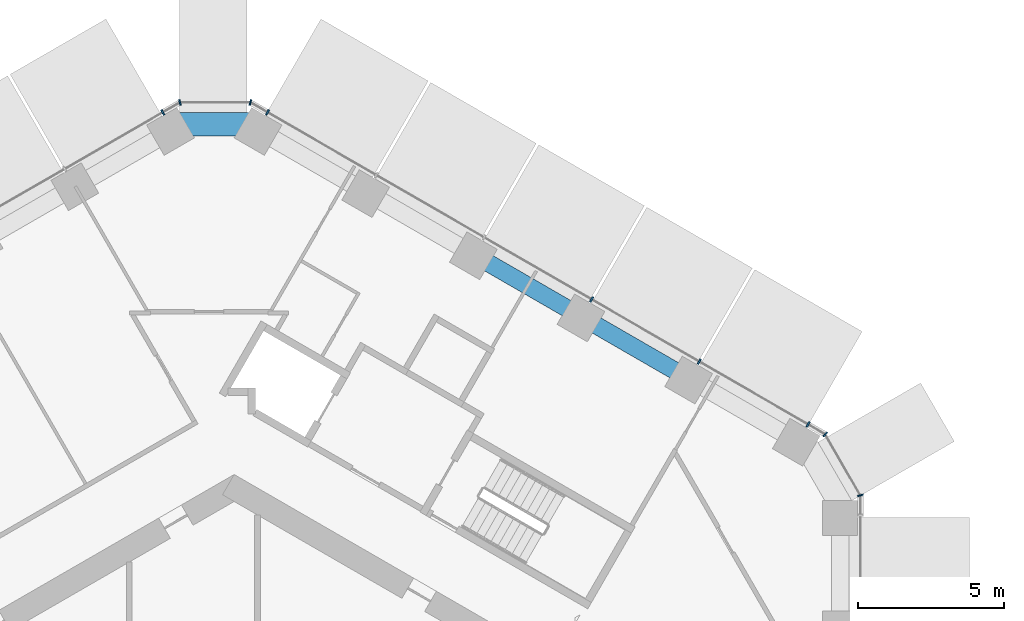
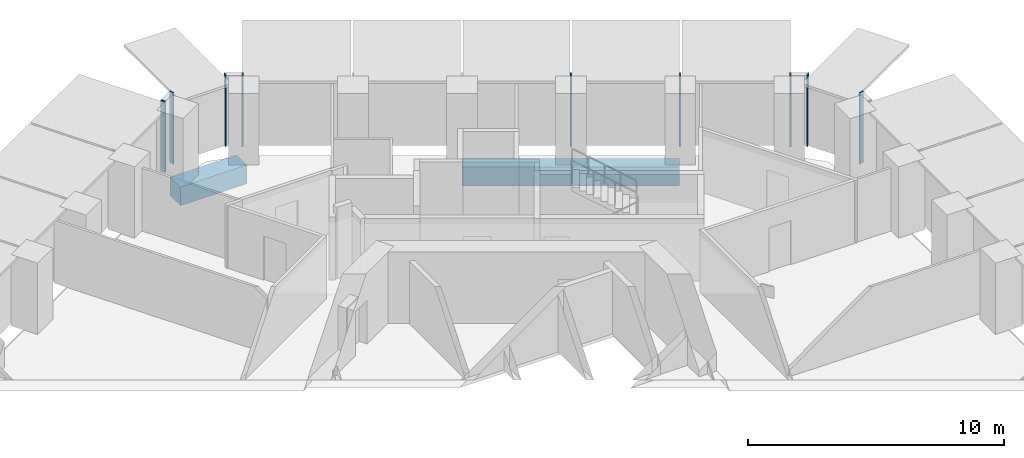
# One storey, part 6 of 22: 9 members, 3 beams, 4 elements without a shape of their own.
"""IFC4 building model written with IfcOpenShell, lengths in metres."""

from ifc_helpers import new_model, si_unit, direction, frame, origin, origin_2d, place, context, subcontext, project, spatial, rectangle, extrude, material, layer, layer_set, material_profile, profile_set, type_object, element, aggregate, save


model = new_model("IFC4")

# Units and contexts
model_context = context("Model", 3, precision=1e-05, world=origin(), true_north=direction((0.0, 1.0)))
body_context = subcontext(model_context, "Body", "Model", "MODEL_VIEW")
ifc_project = project(units=[si_unit("LENGTHUNIT", "METRE"), si_unit("AREAUNIT", "SQUARE_METRE"), si_unit("VOLUMEUNIT", "CUBIC_METRE"), si_unit("PLANEANGLEUNIT", "RADIAN"), si_unit("MASSUNIT", "GRAM", prefix="KILO")], contexts=[model_context])

# Site, building, storey
site_placement = place(None, origin())
site = spatial("IfcSite", under=ifc_project, at=site_placement, CompositionType="ELEMENT")
building_placement = place(site_placement, origin())
building = spatial("IfcBuilding", under=site, at=building_placement, Name="Ayvan Gate Tower", CompositionType="ELEMENT")
storey_placement = place(building_placement, frame((0.0, 0.0, 62.89990234375)))
storey = spatial("IfcBuildingStorey", under=building, at=storey_placement, Name="L16", CompositionType="ELEMENT", Elevation=62.89990234375)

# Beams
ifc_material_1 = material(Name="Concrete C40/50", Category="concrete")
ifc_material_profile_1 = material_profile(ifc_material_1, rectangle(XDim=0.800048828125, YDim=0.89990234375, at=origin_2d()), Name="RC 800x900")
ifc_profile_set_1 = profile_set([ifc_material_profile_1], Name="Concrete C40/50")
beam_type_1 = type_object("IfcBeamType", Name="Corner spandrel beam RC 800x900 C40/50", PredefinedType="BEAM", material=ifc_profile_set_1)
beam_1_placement = place(storey_placement, frame((0.861083984375, 22.985107421875, -0.7998046875), z_axis=(-1.0, 0.0, 0.0), x_axis=(0.0, -1.0, 0.0)))
element("IfcBeam", 1, at=beam_1_placement, inside=storey, type_object=beam_type_1, Name="SB-L16-12", PredefinedType="BEAM", context=body_context, shape_type="SweptSolid", body=[
    extrude(rectangle(XDim=0.800048828125, YDim=0.89990234375, at=origin_2d()), origin(), (0.0, 0.0, 1.0), 3.0),
])
ifc_material_profile_2 = material_profile(ifc_material_1, rectangle(XDim=0.60009765625, YDim=0.89990234375, at=origin_2d()), Name="RC 600x900")
ifc_profile_set_2 = profile_set([ifc_material_profile_2], Name="Concrete C40/50")
beam_type_2 = type_object("IfcBeamType", Name="Spandrel beam RC 600x900 C40/50", PredefinedType="BEAM", material=ifc_profile_set_2)
beam_2_placement = place(storey_placement, frame((15.599853515625, 14.255615234375, -0.7998046875), z_axis=(-0.866009756179, 0.500027101468, 0.0), x_axis=(-0.500027101468, -0.866009756179, 0.0)))
element("IfcBeam", 2, at=beam_2_placement, inside=storey, type_object=beam_type_2, Name="SB-L16-8", PredefinedType="BEAM", context=body_context, shape_type="SweptSolid", body=[
    extrude(rectangle(XDim=0.60009765625, YDim=0.89990234375, at=origin_2d()), origin(), (0.0, 0.0, 1.0), 4.254638671875),
])
beam_3_placement = place(storey_placement, frame((11.915283203125, 16.383056640625, -0.7998046875), z_axis=(-0.866024102175, 0.500002254446, 0.0), x_axis=(-0.500002254446, -0.866024102175, 0.0)))
element("IfcBeam", 3, at=beam_3_placement, inside=storey, type_object=beam_type_2, Name="SB-L16-9", PredefinedType="BEAM", context=body_context, shape_type="SweptSolid", body=[
    extrude(rectangle(XDim=0.60009765625, YDim=0.89990234375, at=origin_2d()), origin(), (0.0, 0.0, 1.0), 4.2548828125),
])

# Curtain wall, member
ifc_material_2 = material(Name="Bronze anodised aluminium", Category="aluminium")
ifc_layer_1 = layer(ifc_material_2, 0.199951171875)
ifc_layer_set_1 = layer_set([ifc_layer_1], Name="Bronze anodised aluminium")
curtain_wall_type_1 = type_object("IfcCurtainWallType", Name="Stick curtain wall CW-1", PredefinedType="NOTDEFINED", material=ifc_layer_set_1)
curtain_wall_1_placement = place(storey_placement, origin())
curtain_wall_1 = element("IfcCurtainWall", 4, at=curtain_wall_1_placement, inside=storey, type_object=curtain_wall_type_1, Name="Stick curtain wall CW-1 L16", PredefinedType="NOTDEFINED")
ifc_material_profile_3 = material_profile(ifc_material_2, rectangle(XDim=0.199951171875, YDim=0.06005859375, at=origin_2d()), Name="Stick curtain wall CW-1 mullion 200 x 60")
ifc_profile_set_3 = profile_set([ifc_material_profile_3], Name="Bronze anodised aluminium")
member_type_1 = type_object("IfcMemberType", Name="Stick curtain wall CW-1 mullion 200 x 60", PredefinedType="MULLION", material=ifc_profile_set_3)
member_1_placement = place(storey_placement, frame((-2.448974609375, 23.394287109375, 0.0), z_axis=(0.0, 0.0, 1.0), x_axis=(-0.5, 0.866025403784, 0.0)))
member_1 = element("IfcMember", 5, at=member_1_placement, type_object=member_type_1, Name="CW-1 mullion 1", PredefinedType="MULLION", context=body_context, shape_type="SweptSolid", body=[
    extrude(rectangle(XDim=0.199951171875, YDim=0.06005859375, at=origin_2d()), origin(), (0.0, 0.0, 1.0), 3.400146484375),
])
aggregate(curtain_wall_1, [member_1])

# Curtain wall, members
curtain_wall_2_placement = place(storey_placement, origin())
curtain_wall_2 = element("IfcCurtainWall", 6, at=curtain_wall_2_placement, inside=storey, type_object=curtain_wall_type_1, Name="Stick curtain wall CW-1 L16", PredefinedType="NOTDEFINED")
member_2_placement = place(storey_placement, frame((19.6884765625, 12.687255859375, 0.0), z_axis=(0.0, 0.0, 1.0), x_axis=(0.5, 0.866025403784, 0.0)))
member_2 = element("IfcMember", 7, at=member_2_placement, type_object=member_type_1, Name="CW-1 mullion 1", PredefinedType="MULLION", context=body_context, shape_type="SweptSolid", body=[
    extrude(rectangle(XDim=0.199951171875, YDim=0.06005859375, at=origin_2d()), origin(), (0.0, 0.0, 1.0), 3.400146484375),
])
member_3_placement = place(storey_placement, frame((15.955810546875, 14.84228515625, 0.0), z_axis=(0.0, 0.0, 1.0), x_axis=(0.5, 0.866025403784, 0.0)))
member_3 = element("IfcMember", 8, at=member_3_placement, type_object=member_type_1, Name="CW-1 mullion 2", PredefinedType="MULLION", context=body_context, shape_type="SweptSolid", body=[
    extrude(rectangle(XDim=0.199951171875, YDim=0.06005859375, at=origin_2d()), origin(), (0.0, 0.0, 1.0), 3.400146484375),
])
member_4_placement = place(storey_placement, frame((12.26220703125, 16.974853515625, 0.0), z_axis=(0.0, 0.0, 1.0), x_axis=(0.5, 0.866025403784, 0.0)))
member_4 = element("IfcMember", 9, at=member_4_placement, type_object=member_type_1, Name="CW-1 mullion 3", PredefinedType="MULLION", context=body_context, shape_type="SweptSolid", body=[
    extrude(rectangle(XDim=0.199951171875, YDim=0.06005859375, at=origin_2d()), origin(), (0.0, 0.0, 1.0), 3.400146484375),
])
member_5_placement = place(storey_placement, frame((1.143310546875, 23.394287109375, 0.0), z_axis=(0.0, 0.0, 1.0), x_axis=(0.5, 0.866025403784, 0.0)))
member_5 = element("IfcMember", 10, at=member_5_placement, type_object=member_type_1, Name="CW-1 mullion 6", PredefinedType="MULLION", context=body_context, shape_type="SweptSolid", body=[
    extrude(rectangle(XDim=0.199951171875, YDim=0.06005859375, at=origin_2d()), origin(), (0.0, 0.0, 1.0), 3.400146484375),
])
aggregate(curtain_wall_2, [member_2, member_3, member_4, member_5])

ifc_layer_2 = layer(ifc_material_2, 0.199951171875)
ifc_layer_set_2 = layer_set([ifc_layer_2], Name="Bronze anodised aluminium")
curtain_wall_type_2 = type_object("IfcCurtainWallType", Name="Stick curtain wall CW-6", PredefinedType="NOTDEFINED", material=ifc_layer_set_2)
curtain_wall_3_placement = place(storey_placement, origin())
curtain_wall_3 = element("IfcCurtainWall", 11, at=curtain_wall_3_placement, inside=storey, type_object=curtain_wall_type_2, Name="Stick curtain wall CW-6 L16", PredefinedType="NOTDEFINED")
ifc_material_profile_4 = material_profile(ifc_material_2, rectangle(XDim=0.199951171875, YDim=0.050048828125, at=origin_2d()), Name="Stick curtain wall CW-6 mullion 200 x 50")
ifc_profile_set_4 = profile_set([ifc_material_profile_4], Name="Bronze anodised aluminium")
member_type_2 = type_object("IfcMemberType", Name="Stick curtain wall CW-6 mullion 200 x 50", PredefinedType="MULLION", material=ifc_profile_set_4)
member_6_placement = place(storey_placement, frame((21.484619140625, 10.25634765625, 0.0), z_axis=(0.0, 0.0, 1.0), x_axis=(0.965925826289, 0.258819045103, 0.0)))
member_6 = element("IfcMember", 12, at=member_6_placement, type_object=member_type_2, Name="CW-6 mullion 2", PredefinedType="MULLION", context=body_context, shape_type="SweptSolid", body=[
    extrude(rectangle(XDim=0.199951171875, YDim=0.050048828125, at=origin_2d()), origin(), (0.0, 0.0, 1.0), 3.400146484375),
])
member_7_placement = place(storey_placement, frame((20.27734375, 12.347412109375, 0.0), z_axis=(0.0, 0.0, 1.0), x_axis=(0.707106781187, 0.707106781187, 0.0)))
member_7 = element("IfcMember", 13, at=member_7_placement, type_object=member_type_2, Name="CW-6 mullion 3", PredefinedType="MULLION", context=body_context, shape_type="SweptSolid", body=[
    extrude(rectangle(XDim=0.199951171875, YDim=0.050048828125, at=origin_2d()), origin(), (0.0, 0.0, 1.0), 3.400146484375),
])
aggregate(curtain_wall_3, [member_6, member_7])

curtain_wall_4_placement = place(storey_placement, origin())
curtain_wall_4 = element("IfcCurtainWall", 14, at=curtain_wall_4_placement, inside=storey, type_object=curtain_wall_type_2, Name="Stick curtain wall CW-6 L16", PredefinedType="NOTDEFINED")
member_8_placement = place(storey_placement, frame((0.554443359375, 23.734375, 0.0), z_axis=(0.0, 0.0, 1.0), x_axis=(0.258819045103, 0.965925826289, 0.0)))
member_8 = element("IfcMember", 15, at=member_8_placement, type_object=member_type_2, Name="CW-6 mullion 2", PredefinedType="MULLION", context=body_context, shape_type="SweptSolid", body=[
    extrude(rectangle(XDim=0.199951171875, YDim=0.050048828125, at=origin_2d()), origin(), (0.0, 0.0, 1.0), 3.400146484375),
])
member_9_placement = place(storey_placement, frame((-1.860107421875, 23.734375, 0.0), z_axis=(0.0, 0.0, 1.0), x_axis=(-0.258819045103, 0.965925826289, 0.0)))
member_9 = element("IfcMember", 16, at=member_9_placement, type_object=member_type_2, Name="CW-6 mullion 3", PredefinedType="MULLION", context=body_context, shape_type="SweptSolid", body=[
    extrude(rectangle(XDim=0.199951171875, YDim=0.050048828125, at=origin_2d()), origin(), (0.0, 0.0, 1.0), 3.400146484375),
])
aggregate(curtain_wall_4, [member_8, member_9])

save(model, "model.ifc")
